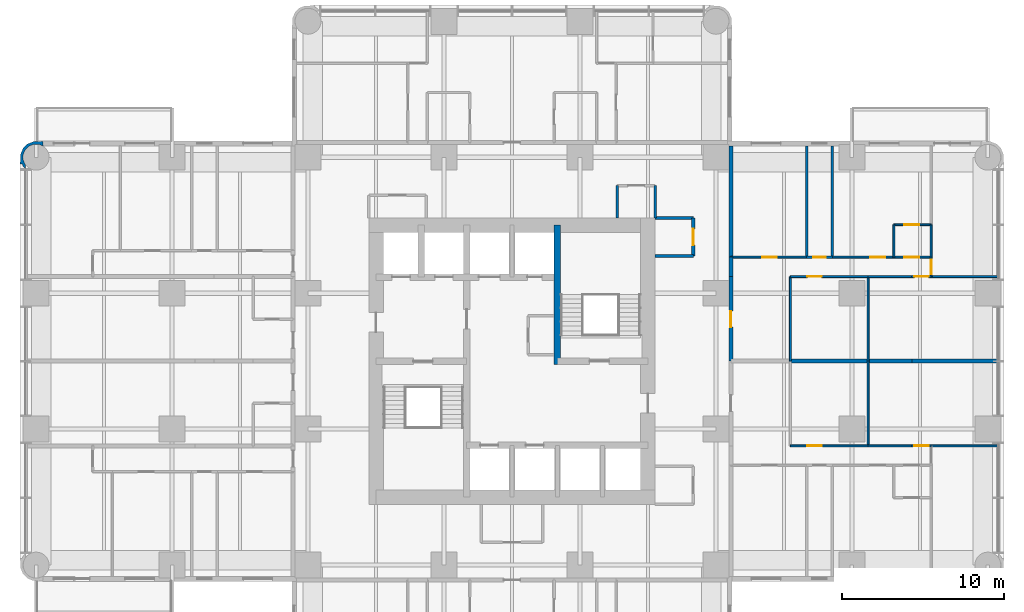
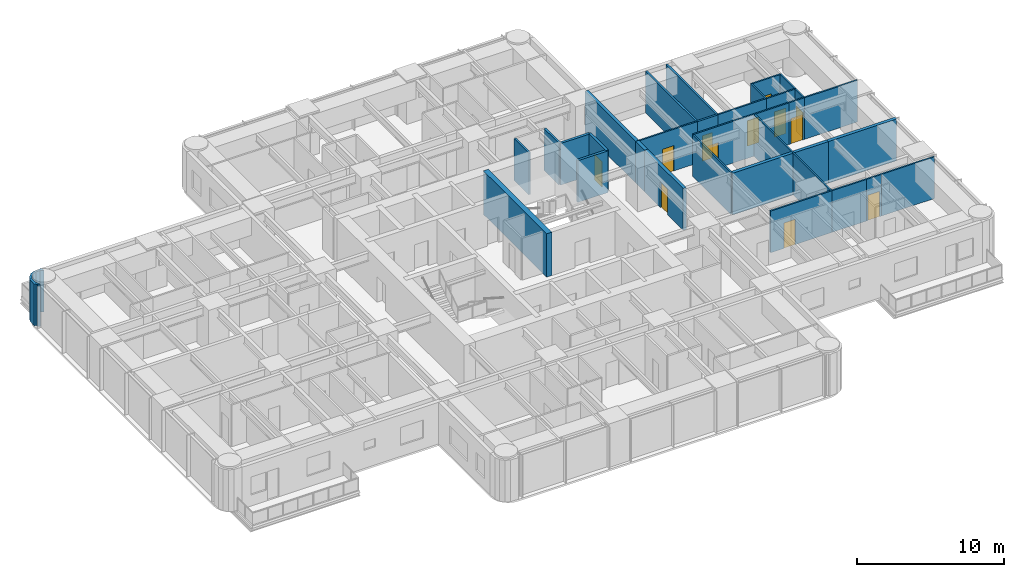
# One storey, part 10 of 14: 34 walls, 12 doors, 12 openings.
"""IFC4 building model written with IfcOpenShell, lengths in metres."""

from ifc_helpers import new_model, si_unit, direction, frame, frame_2d, origin, place, context, subcontext, project, spatial, polyline, rectangle, outline, extrude, material, layer, layer_set, type_object, element, fill, save


model = new_model("IFC4")

# Units and contexts
model_context = context("Model", 3, precision=1e-05, world=origin(), true_north=direction((0.0, 1.0)))
body_context = subcontext(model_context, "Body", "Model", "MODEL_VIEW")
ifc_project = project(units=[si_unit("LENGTHUNIT", "METRE"), si_unit("AREAUNIT", "SQUARE_METRE"), si_unit("VOLUMEUNIT", "CUBIC_METRE"), si_unit("PLANEANGLEUNIT", "RADIAN"), si_unit("MASSUNIT", "GRAM", prefix="KILO")], contexts=[model_context])

# Site, building, storey
site_placement = place(None, origin())
site = spatial("IfcSite", under=ifc_project, at=site_placement, CompositionType="ELEMENT")
building_placement = place(site_placement, origin())
building = spatial("IfcBuilding", under=site, at=building_placement, Name="Torre Alcanfor", CompositionType="ELEMENT")
storey_placement = place(building_placement, frame((0.0, 0.0, 141.300048828125)))
storey = spatial("IfcBuildingStorey", under=building, at=storey_placement, Name="L36", CompositionType="ELEMENT", Elevation=141.300048828125)

# Wall, opening, door
ifc_material_1 = material(Name="Concrete block masonry, hollow blocks NMX-C-404 9 MPa", Category="masonry")
ifc_layer_1 = layer(ifc_material_1, 0.25)
ifc_layer_set_1 = layer_set([ifc_layer_1], Name="Apartment entrance wall 250 EI 60")
wall_type_1 = type_object("IfcWallType", Name="Apartment entrance wall 250 EI 60", PredefinedType="PARTITIONING", material=ifc_layer_set_1)
wall_1_placement = place(storey_placement, frame((42.925048828125, 34.62890625, 0.0), z_axis=(0.0, 0.0, 1.0), x_axis=(0.0, -1.0, 0.0)))
wall_1 = element("IfcWall", 1, at=wall_1_placement, inside=storey, type_object=wall_type_1, Name="Partition L36-CORR / L36-E1-ZAG", PredefinedType="PARTITIONING", context=body_context, shape_type="SweptSolid", body=[
    extrude(rectangle(XDim=5.22900390625, YDim=0.25, at=frame_2d((2.614501953125, 0.0))), origin(), (0.0, 0.0, 1.0), 3.449951171875),
])
opening_1_placement = place(wall_1_placement, frame((2.12890625, 0.0, 0.0)))
opening_1 = element("IfcOpeningElement", 2, at=opening_1_placement, cuts=wall_1, Name="Opening D-A1", PredefinedType="OPENING", context=body_context, shape_type="SweptSolid", body=[
    extrude(rectangle(XDim=1.0, YDim=2.10009765625, at=frame_2d((0.5, 1.050048828125))), frame((0.0, 0.135009765625, 0.0), z_axis=(0.0, -1.0, 0.0), x_axis=(1.0, 0.0, 0.0)), (0.0, 0.0, 1.0), 0.27001953125),
])
ifc_material_2 = material(Name="Galvanised steel sheet ASTM A653", Category="steel")
door_type_1 = type_object("IfcDoorType", Name="Apartment entrance door FD60 1000x2100", OperationType="SINGLE_SWING_LEFT", PredefinedType="DOOR", material=ifc_material_2)
door_1_placement = place(opening_1_placement, origin())
door_1 = element("IfcDoor", 3, at=door_1_placement, inside=storey, type_object=door_type_1, Name="Apartment entrance L36-E1", OperationType="SINGLE_SWING_RIGHT", OverallHeight=2.10009765625, OverallWidth=1.0, PredefinedType="DOOR", context=body_context, shape_type="SweptSolid", body=[
    extrude(rectangle(XDim=1.0, YDim=2.10009765625, at=frame_2d((0.5, 1.050048828125))), frame((0.0, 0.02490234375, 0.0), z_axis=(0.0, -1.0, 0.0), x_axis=(1.0, 0.0, 0.0)), (0.0, 0.0, 1.0), 0.050048828125),
])
fill(opening_1, door_1)

# Walls
wall_2_placement = place(storey_placement, frame((42.925048828125, 35.8291015625, 0.0), z_axis=(0.0, 0.0, 1.0), x_axis=(0.0, -1.0, 0.0)))
element("IfcWall", 4, at=wall_2_placement, inside=storey, type_object=wall_type_1, Name="Partition L36-CORR / L36-E1-HALL", PredefinedType="PARTITIONING", context=body_context, shape_type="SweptSolid", body=[
    extrude(rectangle(XDim=1.2001953125, YDim=0.25, at=frame_2d((0.60009765625, 0.0))), origin(), (0.0, 0.0, 1.0), 3.449951171875),
])
wall_3_placement = place(storey_placement, frame((42.925048828125, 42.699951171875, 0.0), z_axis=(0.0, 0.0, 1.0), x_axis=(0.0, -1.0, 0.0)))
element("IfcWall", 5, at=wall_3_placement, inside=storey, type_object=wall_type_1, Name="Partition L36-CORR / L36-E1-BED2", PredefinedType="PARTITIONING", context=body_context, shape_type="SweptSolid", body=[
    extrude(rectangle(XDim=6.870849609375, YDim=0.25, at=frame_2d((3.435546875, 0.0))), origin(), (0.0, 0.0, 1.0), 3.449951171875),
])
ifc_material_3 = material(Name="Gypsum board on steel studs", Category="steel")
ifc_layer_2 = layer(ifc_material_3, 0.1201171875)
ifc_layer_set_2 = layer_set([ifc_layer_2], Name="Apartment partition 120")
wall_type_2 = type_object("IfcWallType", Name="Apartment partition 120", PredefinedType="PARTITIONING", material=ifc_layer_set_2)
for number, where, z_axis, x_axis, name in (
    (6, (46.60009765625, 29.39990234375, 0.0), (0.0, 0.0, 1.0), (0.0, 1.0, 0.0), "Partition L36-E1-ZAG / L36-E1-FAMILY"),
    (7, (51.39990234375, 29.39990234375, 0.0), (0.0, 0.0, 1.0), (0.0, 1.0, 0.0), "Partition L36-E1-FAMILY / L36-E1-KITCHEN"),
):
    element("IfcWall", number, at=place(storey_placement, frame(where, z_axis=z_axis, x_axis=x_axis)), inside=storey, type_object=wall_type_2, Name=name, PredefinedType="PARTITIONING", context=body_context, shape_type="SweptSolid", body=[
        extrude(rectangle(XDim=5.22900390625, YDim=0.1201171875, at=frame_2d((2.614501953125, 0.0))), origin(), (0.0, 0.0, 1.0), 3.449951171875),
    ])

# Wall, opening, door
wall_4_placement = place(storey_placement, frame((51.39990234375, 34.62890625, 0.0), z_axis=(0.0, 0.0, 1.0), x_axis=(-1.0, 0.0, 0.0)))
wall_4 = element("IfcWall", 8, at=wall_4_placement, inside=storey, type_object=wall_type_2, Name="Partition L36-E1-FAMILY / L36-E1-HALL", PredefinedType="PARTITIONING", context=body_context, shape_type="SweptSolid", body=[
    extrude(rectangle(XDim=4.7998046875, YDim=0.1201171875, at=frame_2d((2.39990234375, 0.0))), origin(), (0.0, 0.0, 1.0), 3.449951171875),
])
opening_2_placement = place(wall_4_placement, frame((2.85009765625, 0.0, 0.0)))
opening_2 = element("IfcOpeningElement", 9, at=opening_2_placement, cuts=wall_4, Name="Opening D-R1", PredefinedType="OPENING", context=body_context, shape_type="SweptSolid", body=[
    extrude(rectangle(XDim=0.89990234375, YDim=2.10009765625, at=frame_2d((0.449951171875, 1.050048828125))), frame((0.0, 0.070068359375, 0.0), z_axis=(0.0, -1.0, 0.0), x_axis=(1.0, 0.0, 0.0)), (0.0, 0.0, 1.0), 0.14013671875),
])
ifc_material_4 = material(Name="Timber", Category="wood")
door_type_2 = type_object("IfcDoorType", Name="Internal door 900x2100", OperationType="SINGLE_SWING_LEFT", PredefinedType="DOOR", material=ifc_material_4)
door_2_placement = place(opening_2_placement, origin())
door_2 = element("IfcDoor", 10, at=door_2_placement, inside=storey, type_object=door_type_2, Name="Door L36-E1 family", OperationType="SINGLE_SWING_RIGHT", OverallHeight=2.10009765625, OverallWidth=0.89990234375, PredefinedType="DOOR", context=body_context, shape_type="SweptSolid", body=[
    extrude(rectangle(XDim=0.89990234375, YDim=2.10009765625, at=frame_2d((0.449951171875, 1.050048828125))), frame((0.0, 0.02490234375, 0.0), z_axis=(0.0, -1.0, 0.0), x_axis=(1.0, 0.0, 0.0)), (0.0, 0.0, 1.0), 0.050048828125),
])
fill(opening_2, door_2)

# Wall
wall_5_placement = place(storey_placement, frame((54.10009765625, 34.62890625, 0.0), z_axis=(0.0, 0.0, 1.0), x_axis=(-1.0, 0.0, 0.0)))
element("IfcWall", 11, at=wall_5_placement, inside=storey, type_object=wall_type_2, Name="Partition L36-E1-KITCHEN / L36-E1-HALL", PredefinedType="PARTITIONING", context=body_context, shape_type="SweptSolid", body=[
    extrude(rectangle(XDim=2.7001953125, YDim=0.1201171875, at=frame_2d((1.35009765625, 0.0))), origin(), (0.0, 0.0, 1.0), 3.449951171875),
])

# Wall, opening, door
wall_6_placement = place(storey_placement, frame((55.300048828125, 34.62890625, 0.0), z_axis=(0.0, 0.0, 1.0), x_axis=(-1.0, 0.0, 0.0)))
wall_6 = element("IfcWall", 12, at=wall_6_placement, inside=storey, type_object=wall_type_2, Name="Partition L36-E1-LIVING / L36-E1-HALL", PredefinedType="PARTITIONING", context=body_context, shape_type="SweptSolid", body=[
    extrude(rectangle(XDim=1.199951171875, YDim=0.1201171875, at=frame_2d((0.60009765625, 0.0))), origin(), (0.0, 0.0, 1.0), 3.449951171875),
])
opening_3_placement = place(wall_6_placement, frame((0.14990234375, 0.0, 0.0)))
opening_3 = element("IfcOpeningElement", 13, at=opening_3_placement, cuts=wall_6, Name="Opening D-R1", PredefinedType="OPENING", context=body_context, shape_type="SweptSolid", body=[
    extrude(rectangle(XDim=0.89990234375, YDim=2.10009765625, at=frame_2d((0.449951171875, 1.050048828125))), frame((0.0, 0.070068359375, 0.0), z_axis=(0.0, -1.0, 0.0), x_axis=(1.0, 0.0, 0.0)), (0.0, 0.0, 1.0), 0.14013671875),
])
door_3_placement = place(opening_3_placement, origin())
door_3 = element("IfcDoor", 14, at=door_3_placement, inside=storey, type_object=door_type_2, Name="Door L36-E1 living", OperationType="SINGLE_SWING_RIGHT", OverallHeight=2.10009765625, OverallWidth=0.89990234375, PredefinedType="DOOR", context=body_context, shape_type="SweptSolid", body=[
    extrude(rectangle(XDim=0.89990234375, YDim=2.10009765625, at=frame_2d((0.449951171875, 1.050048828125))), frame((0.0, 0.02490234375, 0.0), z_axis=(0.0, -1.0, 0.0), x_axis=(1.0, 0.0, 0.0)), (0.0, 0.0, 1.0), 0.050048828125),
])
fill(opening_3, door_3)

# Wall
wall_7_placement = place(storey_placement, frame((59.449951171875, 34.62890625, 0.0), z_axis=(0.0, 0.0, 1.0), x_axis=(-1.0, 0.0, 0.0)))
element("IfcWall", 15, at=wall_7_placement, inside=storey, type_object=wall_type_2, Name="Partition L36-E1-LIVING / L36-E1-WGARD", PredefinedType="PARTITIONING", context=body_context, shape_type="SweptSolid", body=[
    extrude(rectangle(XDim=4.14990234375, YDim=0.1201171875, at=frame_2d((2.074951171875, 0.0))), origin(), (0.0, 0.0, 1.0), 3.449951171875),
])

# Wall, opening, door
wall_8_placement = place(storey_placement, frame((47.60009765625, 35.8291015625, 0.0), z_axis=(0.0, 0.0, 1.0), x_axis=(-1.0, 0.0, 0.0)))
wall_8 = element("IfcWall", 16, at=wall_8_placement, inside=storey, type_object=wall_type_2, Name="Partition L36-E1-HALL / L36-E1-BED2", PredefinedType="PARTITIONING", context=body_context, shape_type="SweptSolid", body=[
    extrude(rectangle(XDim=4.675048828125, YDim=0.1201171875, at=frame_2d((2.33740234375, 0.0))), origin(), (0.0, 0.0, 1.0), 3.449951171875),
])
opening_4_placement = place(wall_8_placement, frame((1.85009765625, 0.0, 0.0)))
opening_4 = element("IfcOpeningElement", 17, at=opening_4_placement, cuts=wall_8, Name="Opening D-R1", PredefinedType="OPENING", context=body_context, shape_type="SweptSolid", body=[
    extrude(rectangle(XDim=0.89990234375, YDim=2.10009765625, at=frame_2d((0.449951171875, 1.050048828125))), frame((0.0, 0.070068359375, 0.0), z_axis=(0.0, -1.0, 0.0), x_axis=(1.0, 0.0, 0.0)), (0.0, 0.0, 1.0), 0.14013671875),
])
door_4_placement = place(opening_4_placement, frame((0.89990234375, 0.0, 0.0), z_axis=(0.0, 0.0, 1.0), x_axis=(-1.0, 0.0, 0.0)))
door_4 = element("IfcDoor", 18, at=door_4_placement, inside=storey, type_object=door_type_2, Name="Door L36-E1 bed2", OperationType="SINGLE_SWING_RIGHT", OverallHeight=2.10009765625, OverallWidth=0.89990234375, PredefinedType="DOOR", context=body_context, shape_type="SweptSolid", body=[
    extrude(rectangle(XDim=0.89990234375, YDim=2.10009765625, at=frame_2d((0.449951171875, 1.050048828125))), frame((0.0, 0.025146484375, 0.0), z_axis=(0.0, -1.0, 0.0), x_axis=(1.0, 0.0, 0.0)), (0.0, 0.0, 1.0), 0.050048828125),
])
fill(opening_4, door_4)

wall_9_placement = place(storey_placement, frame((53.0, 35.8291015625, 0.0), z_axis=(0.0, 0.0, 1.0), x_axis=(-1.0, 0.0, 0.0)))
wall_9 = element("IfcWall", 19, at=wall_9_placement, inside=storey, type_object=wall_type_2, Name="Partition L36-E1-HALL / L36-E1-MASTER", PredefinedType="PARTITIONING", context=body_context, shape_type="SweptSolid", body=[
    extrude(rectangle(XDim=3.800048828125, YDim=0.1201171875, at=frame_2d((1.89990234375, 0.0))), origin(), (0.0, 0.0, 1.0), 3.449951171875),
])
opening_5_placement = place(wall_9_placement, frame((0.550048828125, 0.0, 0.0)))
opening_5 = element("IfcOpeningElement", 20, at=opening_5_placement, cuts=wall_9, Name="Opening D-R1", PredefinedType="OPENING", context=body_context, shape_type="SweptSolid", body=[
    extrude(rectangle(XDim=0.89990234375, YDim=2.10009765625, at=frame_2d((0.449951171875, 1.050048828125))), frame((0.0, 0.070068359375, 0.0), z_axis=(0.0, -1.0, 0.0), x_axis=(1.0, 0.0, 0.0)), (0.0, 0.0, 1.0), 0.14013671875),
])
door_5_placement = place(opening_5_placement, frame((0.89990234375, 0.0, 0.0), z_axis=(0.0, 0.0, 1.0), x_axis=(-1.0, 0.0, 0.0)))
door_5 = element("IfcDoor", 21, at=door_5_placement, inside=storey, type_object=door_type_2, Name="Door L36-E1 master", OperationType="SINGLE_SWING_RIGHT", OverallHeight=2.10009765625, OverallWidth=0.89990234375, PredefinedType="DOOR", context=body_context, shape_type="SweptSolid", body=[
    extrude(rectangle(XDim=0.89990234375, YDim=2.10009765625, at=frame_2d((0.449951171875, 1.050048828125))), frame((0.0, 0.025146484375, 0.0), z_axis=(0.0, -1.0, 0.0), x_axis=(1.0, 0.0, 0.0)), (0.0, 0.0, 1.0), 0.050048828125),
])
fill(opening_5, door_5)

wall_10_placement = place(storey_placement, frame((55.300048828125, 35.8291015625, 0.0), z_axis=(0.0, 0.0, 1.0), x_axis=(-1.0, 0.0, 0.0)))
wall_10 = element("IfcWall", 22, at=wall_10_placement, inside=storey, type_object=wall_type_2, Name="Partition L36-E1-HALL / L36-E1-VEST", PredefinedType="PARTITIONING", context=body_context, shape_type="SweptSolid", body=[
    extrude(rectangle(XDim=2.300048828125, YDim=0.1201171875, at=frame_2d((1.14990234375, 0.0))), origin(), (0.0, 0.0, 1.0), 3.449951171875),
])
opening_6_placement = place(wall_10_placement, frame((0.75, 0.0, 0.0)))
opening_6 = element("IfcOpeningElement", 23, at=opening_6_placement, cuts=wall_10, Name="Opening D-R1", PredefinedType="OPENING", context=body_context, shape_type="SweptSolid", body=[
    extrude(rectangle(XDim=0.89990234375, YDim=2.10009765625, at=frame_2d((0.449951171875, 1.050048828125))), frame((0.0, 0.070068359375, 0.0), z_axis=(0.0, -1.0, 0.0), x_axis=(1.0, 0.0, 0.0)), (0.0, 0.0, 1.0), 0.14013671875),
])
door_6_placement = place(opening_6_placement, frame((0.89990234375, 0.0, 0.0), z_axis=(0.0, 0.0, 1.0), x_axis=(-1.0, 0.0, 0.0)))
door_6 = element("IfcDoor", 24, at=door_6_placement, inside=storey, type_object=door_type_2, Name="Door L36-E1 vest", OperationType="SINGLE_SWING_LEFT", OverallHeight=2.10009765625, OverallWidth=0.89990234375, PredefinedType="DOOR", context=body_context, shape_type="SweptSolid", body=[
    extrude(rectangle(XDim=0.89990234375, YDim=2.10009765625, at=frame_2d((0.449951171875, 1.050048828125))), frame((0.0, 0.025146484375, 0.0), z_axis=(0.0, -1.0, 0.0), x_axis=(1.0, 0.0, 0.0)), (0.0, 0.0, 1.0), 0.050048828125),
])
fill(opening_6, door_6)

wall_11_placement = place(storey_placement, frame((55.300048828125, 34.62890625, 0.0), z_axis=(0.0, 0.0, 1.0), x_axis=(0.0, 1.0, 0.0)))
wall_11 = element("IfcWall", 25, at=wall_11_placement, inside=storey, type_object=wall_type_2, Name="Partition L36-E1-HALL / L36-E1-WGARD", PredefinedType="PARTITIONING", context=body_context, shape_type="SweptSolid", body=[
    extrude(rectangle(XDim=1.2001953125, YDim=0.1201171875, at=frame_2d((0.60009765625, 0.0))), origin(), (0.0, 0.0, 1.0), 3.449951171875),
])
opening_7_placement = place(wall_11_placement, frame((0.15087890625, 0.0, 0.0)))
opening_7 = element("IfcOpeningElement", 26, at=opening_7_placement, cuts=wall_11, Name="Opening D-R1", PredefinedType="OPENING", context=body_context, shape_type="SweptSolid", body=[
    extrude(rectangle(XDim=0.89990234375, YDim=2.10009765625, at=frame_2d((0.449951171875, 1.050048828125))), frame((0.0, 0.070068359375, 0.0), z_axis=(0.0, -1.0, 0.0), x_axis=(1.0, 0.0, 0.0)), (0.0, 0.0, 1.0), 0.14013671875),
])
door_7_placement = place(opening_7_placement, frame((0.89990234375, 0.0, 0.0), z_axis=(0.0, 0.0, 1.0), x_axis=(-1.0, 0.0, 0.0)))
door_7 = element("IfcDoor", 27, at=door_7_placement, inside=storey, type_object=door_type_2, Name="Door L36-E1 wgard", OperationType="SINGLE_SWING_RIGHT", OverallHeight=2.10009765625, OverallWidth=0.89990234375, PredefinedType="DOOR", context=body_context, shape_type="SweptSolid", body=[
    extrude(rectangle(XDim=0.89990234375, YDim=2.10009765625, at=frame_2d((0.449951171875, 1.050048828125))), frame((0.0, 0.025146484375, 0.0), z_axis=(0.0, -1.0, 0.0), x_axis=(1.0, 0.0, 0.0)), (0.0, 0.0, 1.0), 0.050048828125),
])
fill(opening_7, door_7)

wall_12_placement = place(storey_placement, frame((55.300048828125, 37.8291015625, 0.0), z_axis=(0.0, 0.0, 1.0), x_axis=(-1.0, 0.0, 0.0)))
wall_12 = element("IfcWall", 28, at=wall_12_placement, inside=storey, type_object=wall_type_2, Name="Partition L36-E1-MASTER / L36-E1-VEST", PredefinedType="PARTITIONING", context=body_context, shape_type="SweptSolid", body=[
    extrude(rectangle(XDim=2.300048828125, YDim=0.1201171875, at=frame_2d((1.14990234375, 0.0))), origin(), (0.0, 0.0, 1.0), 3.449951171875),
])
opening_8_placement = place(wall_12_placement, frame((0.75, 0.0, 0.0)))
opening_8 = element("IfcOpeningElement", 29, at=opening_8_placement, cuts=wall_12, Name="Opening D-R1", PredefinedType="OPENING", context=body_context, shape_type="SweptSolid", body=[
    extrude(rectangle(XDim=0.89990234375, YDim=2.10009765625, at=frame_2d((0.449951171875, 1.050048828125))), frame((0.0, 0.070068359375, 0.0), z_axis=(0.0, -1.0, 0.0), x_axis=(1.0, 0.0, 0.0)), (0.0, 0.0, 1.0), 0.14013671875),
])
door_8_placement = place(opening_8_placement, origin())
door_8 = element("IfcDoor", 30, at=door_8_placement, inside=storey, type_object=door_type_2, Name="Door L36-E1 master", OperationType="SINGLE_SWING_RIGHT", OverallHeight=2.10009765625, OverallWidth=0.89990234375, PredefinedType="DOOR", context=body_context, shape_type="SweptSolid", body=[
    extrude(rectangle(XDim=0.89990234375, YDim=2.10009765625, at=frame_2d((0.449951171875, 1.050048828125))), frame((0.0, 0.02490234375, 0.0), z_axis=(0.0, -1.0, 0.0), x_axis=(1.0, 0.0, 0.0)), (0.0, 0.0, 1.0), 0.050048828125),
])
fill(opening_8, door_8)

# Walls
for number, where, z_axis, x_axis, name in (
    (31, (53.0, 37.8291015625, 0.0), (0.0, 0.0, 1.0), (0.0, -1.0, 0.0), "Partition L36-E1-MASTER / L36-E1-VEST"),
    (32, (55.300048828125, 35.8291015625, 0.0), (0.0, 0.0, 1.0), (0.0, 1.0, 0.0), "Partition L36-E1-VEST / L36-E1-WGARD"),
):
    element("IfcWall", number, at=place(storey_placement, frame(where, z_axis=z_axis, x_axis=x_axis)), inside=storey, type_object=wall_type_2, Name=name, PredefinedType="PARTITIONING", context=body_context, shape_type="SweptSolid", body=[
        extrude(rectangle(XDim=2.0, YDim=0.1201171875, at=frame_2d((1.0, 0.0))), origin(), (0.0, 0.0, 1.0), 3.449951171875),
    ])
wall_13_placement = place(storey_placement, frame((51.39990234375, 29.39990234375, 0.0), z_axis=(0.0, 0.0, 1.0), x_axis=(0.0, -1.0, 0.0)))
element("IfcWall", 33, at=wall_13_placement, inside=storey, type_object=wall_type_2, Name="Partition L36-E2-FAMILY / L36-E2-KITCHEN", PredefinedType="PARTITIONING", context=body_context, shape_type="SweptSolid", body=[
    extrude(rectangle(XDim=5.22900390625, YDim=0.1201171875, at=frame_2d((2.614501953125, 0.0))), origin(), (0.0, 0.0, 1.0), 3.449951171875),
])

# Wall, opening, door
wall_14_placement = place(storey_placement, frame((51.39990234375, 24.1708984375, 0.0), z_axis=(0.0, 0.0, 1.0), x_axis=(-1.0, 0.0, 0.0)))
wall_14 = element("IfcWall", 34, at=wall_14_placement, inside=storey, type_object=wall_type_2, Name="Partition L36-E2-FAMILY / L36-E2-HALL", PredefinedType="PARTITIONING", context=body_context, shape_type="SweptSolid", body=[
    extrude(rectangle(XDim=4.7998046875, YDim=0.1201171875, at=frame_2d((2.39990234375, 0.0))), origin(), (0.0, 0.0, 1.0), 3.449951171875),
])
opening_9_placement = place(wall_14_placement, frame((2.85009765625, 0.0, 0.0)))
opening_9 = element("IfcOpeningElement", 35, at=opening_9_placement, cuts=wall_14, Name="Opening D-R1", PredefinedType="OPENING", context=body_context, shape_type="SweptSolid", body=[
    extrude(rectangle(XDim=0.89990234375, YDim=2.10009765625, at=frame_2d((0.449951171875, 1.050048828125))), frame((0.0, 0.070068359375, 0.0), z_axis=(0.0, -1.0, 0.0), x_axis=(1.0, 0.0, 0.0)), (0.0, 0.0, 1.0), 0.14013671875),
])
door_9_placement = place(opening_9_placement, frame((0.89990234375, 0.0, 0.0), z_axis=(0.0, 0.0, 1.0), x_axis=(-1.0, 0.0, 0.0)))
door_9 = element("IfcDoor", 36, at=door_9_placement, inside=storey, type_object=door_type_2, Name="Door L36-E2 family", OperationType="SINGLE_SWING_LEFT", OverallHeight=2.10009765625, OverallWidth=0.89990234375, PredefinedType="DOOR", context=body_context, shape_type="SweptSolid", body=[
    extrude(rectangle(XDim=0.89990234375, YDim=2.10009765625, at=frame_2d((0.449951171875, 1.050048828125))), frame((0.0, 0.025146484375, 0.0), z_axis=(0.0, -1.0, 0.0), x_axis=(1.0, 0.0, 0.0)), (0.0, 0.0, 1.0), 0.050048828125),
])
fill(opening_9, door_9)

# Wall
wall_15_placement = place(storey_placement, frame((54.10009765625, 24.1708984375, 0.0), z_axis=(0.0, 0.0, 1.0), x_axis=(-1.0, 0.0, 0.0)))
element("IfcWall", 37, at=wall_15_placement, inside=storey, type_object=wall_type_2, Name="Partition L36-E2-KITCHEN / L36-E2-HALL", PredefinedType="PARTITIONING", context=body_context, shape_type="SweptSolid", body=[
    extrude(rectangle(XDim=2.7001953125, YDim=0.1201171875, at=frame_2d((1.35009765625, 0.0))), origin(), (0.0, 0.0, 1.0), 3.449951171875),
])

# Wall, opening, door
wall_16_placement = place(storey_placement, frame((55.300048828125, 24.1708984375, 0.0), z_axis=(0.0, 0.0, 1.0), x_axis=(-1.0, 0.0, 0.0)))
wall_16 = element("IfcWall", 38, at=wall_16_placement, inside=storey, type_object=wall_type_2, Name="Partition L36-E2-LIVING / L36-E2-HALL", PredefinedType="PARTITIONING", context=body_context, shape_type="SweptSolid", body=[
    extrude(rectangle(XDim=1.199951171875, YDim=0.1201171875, at=frame_2d((0.60009765625, 0.0))), origin(), (0.0, 0.0, 1.0), 3.449951171875),
])
opening_10_placement = place(wall_16_placement, frame((0.14990234375, 0.0, 0.0)))
opening_10 = element("IfcOpeningElement", 39, at=opening_10_placement, cuts=wall_16, Name="Opening D-R1", PredefinedType="OPENING", context=body_context, shape_type="SweptSolid", body=[
    extrude(rectangle(XDim=0.89990234375, YDim=2.10009765625, at=frame_2d((0.449951171875, 1.050048828125))), frame((0.0, 0.070068359375, 0.0), z_axis=(0.0, -1.0, 0.0), x_axis=(1.0, 0.0, 0.0)), (0.0, 0.0, 1.0), 0.14013671875),
])
door_10_placement = place(opening_10_placement, frame((0.89990234375, 0.0, 0.0), z_axis=(0.0, 0.0, 1.0), x_axis=(-1.0, 0.0, 0.0)))
door_10 = element("IfcDoor", 40, at=door_10_placement, inside=storey, type_object=door_type_2, Name="Door L36-E2 living", OperationType="SINGLE_SWING_LEFT", OverallHeight=2.10009765625, OverallWidth=0.89990234375, PredefinedType="DOOR", context=body_context, shape_type="SweptSolid", body=[
    extrude(rectangle(XDim=0.89990234375, YDim=2.10009765625, at=frame_2d((0.449951171875, 1.050048828125))), frame((0.0, 0.025146484375, 0.0), z_axis=(0.0, -1.0, 0.0), x_axis=(1.0, 0.0, 0.0)), (0.0, 0.0, 1.0), 0.050048828125),
])
fill(opening_10, door_10)

# Walls
wall_17_placement = place(storey_placement, frame((59.449951171875, 24.1708984375, 0.0), z_axis=(0.0, 0.0, 1.0), x_axis=(-1.0, 0.0, 0.0)))
element("IfcWall", 41, at=wall_17_placement, inside=storey, type_object=wall_type_2, Name="Partition L36-E2-LIVING / L36-E2-WGARD", PredefinedType="PARTITIONING", context=body_context, shape_type="SweptSolid", body=[
    extrude(rectangle(XDim=4.14990234375, YDim=0.1201171875, at=frame_2d((2.074951171875, 0.0))), origin(), (0.0, 0.0, 1.0), 3.449951171875),
])
ifc_material_5 = material(Name="Concrete f'c 70 MPa", Category="concrete")
ifc_layer_3 = layer(ifc_material_5, 0.39990234375)
ifc_layer_set_3 = layer_set([ifc_layer_3], Name="Core inner wall 400 f'c70")
wall_type_3 = type_object("IfcWallType", Name="Core inner wall 400 f'c70", PredefinedType="SHEAR", material=ifc_layer_set_3)
wall_18_placement = place(storey_placement, frame((32.199951171875, 29.199951171875, 0.0), z_axis=(0.0, 0.0, 1.0), x_axis=(0.0, 1.0, 0.0)))
element("IfcWall", 42, at=wall_18_placement, inside=storey, type_object=wall_type_3, Name="Core wall X322N L36", PredefinedType="SHEAR", context=body_context, shape_type="SweptSolid", body=[
    extrude(rectangle(XDim=8.60009765625, YDim=0.39990234375, at=frame_2d((4.300048828125, 0.0))), origin(), (0.0, 0.0, 1.0), 3.599853515625),
])
ifc_material_6 = material(Name="Concrete block masonry, hollow blocks NMX-C-404 9 MPa", Category="masonry")
ifc_layer_4 = layer(ifc_material_6, 0.25)
ifc_layer_set_4 = layer_set([ifc_layer_4], Name="Party wall 250 EI 60")
wall_type_4 = type_object("IfcWallType", Name="Party wall 250 EI 60", PredefinedType="PARTITIONING", material=ifc_layer_set_4)
wall_19_placement = place(storey_placement, frame((46.60009765625, 29.39990234375, 0.0), z_axis=(0.0, 0.0, 1.0), x_axis=(1.0, 0.0, 0.0)))
element("IfcWall", 43, at=wall_19_placement, inside=storey, type_object=wall_type_4, Name="Partition L36-E1-FAMILY / L36-E2-FAMILY", PredefinedType="PARTITIONING", context=body_context, shape_type="SweptSolid", body=[
    extrude(rectangle(XDim=4.7998046875, YDim=0.25, at=frame_2d((2.39990234375, 0.0))), origin(), (0.0, 0.0, 1.0), 3.449951171875),
])
wall_20_placement = place(storey_placement, frame((51.39990234375, 29.39990234375, 0.0), z_axis=(0.0, 0.0, 1.0), x_axis=(1.0, 0.0, 0.0)))
element("IfcWall", 44, at=wall_20_placement, inside=storey, type_object=wall_type_4, Name="Partition L36-E1-KITCHEN / L36-E2-KITCHEN", PredefinedType="PARTITIONING", context=body_context, shape_type="SweptSolid", body=[
    extrude(rectangle(XDim=2.7001953125, YDim=0.25, at=frame_2d((1.35009765625, 0.0))), origin(), (0.0, 0.0, 1.0), 3.449951171875),
])
wall_21_placement = place(storey_placement, frame((54.10009765625, 29.39990234375, 0.0), z_axis=(0.0, 0.0, 1.0), x_axis=(1.0, 0.0, 0.0)))
element("IfcWall", 45, at=wall_21_placement, inside=storey, type_object=wall_type_4, Name="Partition L36-E1-LIVING / L36-E2-LIVING", PredefinedType="PARTITIONING", context=body_context, shape_type="SweptSolid", body=[
    extrude(rectangle(XDim=5.349853515625, YDim=0.25, at=frame_2d((2.6748046875, 0.0))), origin(), (0.0, 0.0, 1.0), 3.449951171875),
])
ifc_material_7 = material(Name="Concrete block masonry, hollow blocks NMX-C-404 9 MPa", Category="masonry")
ifc_layer_5 = layer(ifc_material_7, 0.199951171875)
ifc_layer_set_5 = layer_set([ifc_layer_5], Name="Plant room wall 200 EI 60")
wall_type_5 = type_object("IfcWallType", Name="Plant room wall 200 EI 60", PredefinedType="PARTITIONING", material=ifc_layer_set_5)
wall_22_placement = place(storey_placement, frame((38.25, 35.89990234375, 0.0), z_axis=(0.0, 0.0, 1.0), x_axis=(1.0, 0.0, 0.0)))
element("IfcWall", 46, at=wall_22_placement, inside=storey, type_object=wall_type_5, Name="Partition L36-CORR / L36-G04", PredefinedType="PARTITIONING", context=body_context, shape_type="SweptSolid", body=[
    extrude(rectangle(XDim=2.35009765625, YDim=0.199951171875, at=frame_2d((1.175048828125, 0.0))), origin(), (0.0, 0.0, 1.0), 3.449951171875),
])

# Wall, opening, door
wall_23_placement = place(storey_placement, frame((40.60009765625, 35.89990234375, 0.0), z_axis=(0.0, 0.0, 1.0), x_axis=(0.0, 1.0, 0.0)))
wall_23 = element("IfcWall", 47, at=wall_23_placement, inside=storey, type_object=wall_type_5, Name="Partition L36-CORR / L36-G04", PredefinedType="PARTITIONING", context=body_context, shape_type="SweptSolid", body=[
    extrude(rectangle(XDim=2.35009765625, YDim=0.199951171875, at=frame_2d((1.175048828125, 0.0))), origin(), (0.0, 0.0, 1.0), 3.449951171875),
])
opening_11_placement = place(wall_23_placement, frame((0.675048828125, 0.0, 0.0)))
opening_11 = element("IfcOpeningElement", 48, at=opening_11_placement, cuts=wall_23, Name="Opening D-K1", PredefinedType="OPENING", context=body_context, shape_type="SweptSolid", body=[
    extrude(rectangle(XDim=1.0, YDim=2.10009765625, at=frame_2d((0.5, 1.050048828125))), frame((0.0, 0.10986328125, 0.0), z_axis=(0.0, -1.0, 0.0), x_axis=(1.0, 0.0, 0.0)), (0.0, 0.0, 1.0), 0.219970703125),
])
ifc_material_8 = material(Name="Galvanised steel sheet ASTM A653", Category="steel")
door_type_3 = type_object("IfcDoorType", Name="Core room door FD60 1000x2100", OperationType="SINGLE_SWING_LEFT", PredefinedType="DOOR", material=ifc_material_8)
door_11_placement = place(opening_11_placement, origin())
door_11 = element("IfcDoor", 49, at=door_11_placement, inside=storey, type_object=door_type_3, Name="Door L36-G04 refuse and recycling store", OperationType="SINGLE_SWING_LEFT", OverallHeight=2.10009765625, OverallWidth=1.0, PredefinedType="DOOR", context=body_context, shape_type="SweptSolid", body=[
    extrude(rectangle(XDim=1.0, YDim=2.10009765625, at=frame_2d((0.5, 1.050048828125))), frame((0.0, 0.02490234375, 0.0), z_axis=(0.0, -1.0, 0.0), x_axis=(1.0, 0.0, 0.0)), (0.0, 0.0, 1.0), 0.050048828125),
])
fill(opening_11, door_11)

# Walls
wall_24_placement = place(storey_placement, frame((40.60009765625, 38.25, 0.0), z_axis=(0.0, 0.0, 1.0), x_axis=(-1.0, 0.0, 0.0)))
element("IfcWall", 50, at=wall_24_placement, inside=storey, type_object=wall_type_5, Name="Partition L36-CORR / L36-G04", PredefinedType="PARTITIONING", context=body_context, shape_type="SweptSolid", body=[
    extrude(rectangle(XDim=2.35009765625, YDim=0.199951171875, at=frame_2d((1.175048828125, 0.0))), origin(), (0.0, 0.0, 1.0), 3.449951171875),
])
ifc_material_9 = material(Name="Concrete block masonry, hollow blocks NMX-C-404 9 MPa", Category="masonry")
ifc_layer_6 = layer(ifc_material_9, 0.14990234375)
ifc_layer_set_6 = layer_set([ifc_layer_6], Name="Residents' room partition 150")
wall_type_6 = type_object("IfcWallType", Name="Residents' room partition 150", PredefinedType="PARTITIONING", material=ifc_layer_set_6)
for number, where, z_axis, x_axis, name in (
    (51, (38.25, 38.25, 0.0), (0.0, 0.0, 1.0), (0.0, 1.0, 0.0), "Partition L36-CORR / L36-G02"),
    (52, (35.89990234375, 40.25, 0.0), (0.0, 0.0, 1.0), (0.0, -1.0, 0.0), "Partition L36-CORR / L36-G02"),
):
    element("IfcWall", number, at=place(storey_placement, frame(where, z_axis=z_axis, x_axis=x_axis)), inside=storey, type_object=wall_type_6, Name=name, PredefinedType="PARTITIONING", context=body_context, shape_type="SweptSolid", body=[
        extrude(rectangle(XDim=2.0, YDim=0.14990234375, at=frame_2d((1.0, 0.0))), origin(), (0.0, 0.0, 1.0), 3.449951171875),
    ])
ifc_material_10 = material(Name="Limestone cladding", Category="masonry")
ifc_layer_7 = layer(ifc_material_10, 0.0400390625, Name="Facing")
ifc_material_11 = material(Name="Ventilated air cavity")
ifc_layer_8 = layer(ifc_material_11, 0.02001953125, ventilated=True, Name="Ventilated joint")
ifc_material_12 = material(Name="Mineral wool insulation", Category="insulation")
ifc_layer_9 = layer(ifc_material_12, 0.10009765625, Name="Insulation")
ifc_material_13 = material(Name="Concrete f'c 35 MPa", Category="concrete")
ifc_layer_10 = layer(ifc_material_13, 0.139892578125, Name="Backing")
ifc_layer_set_7 = layer_set([ifc_layer_7, ifc_layer_8, ifc_layer_9, ifc_layer_10], Name="Rounded corner pier stone-clad 300")
wall_type_7 = type_object("IfcWallType", Name="Rounded corner pier stone-clad 300", PredefinedType="SOLIDWALL", material=ifc_layer_set_7)
wall_25_placement = place(storey_placement, frame((0.326823795, 42.817059488, 0.0), z_axis=(0.0, 0.0, 1.0), x_axis=(-0.93923434088, 0.343276641956, 0.0)))
element("IfcWall", 53, at=wall_25_placement, inside=storey, type_object=wall_type_7, Name="Corner pier L36 13", PredefinedType="SOLIDWALL", context=body_context, shape_type="SweptSolid", body=[
    extrude(outline(polyline([(-0.005838677930572508, -0.19691017002240385), (0.2656725893480827, -0.05504723679548061), (0.5353355739365452, 0.04351070532859805), (0.8164808166219237, 0.3019667887790936), (0.9774010351300944, 0.6482698031873169), (0.9936526519661447, 1.0298167590229048), (0.8950947098420661, 1.2994797436113674), (0.8284439015683875, 1.5984799607341533), (0.6967504599124257, 1.5690632792769885), (0.6041212101125378, 1.6695954267902182), (0.39402236502400456, 1.7672242392847775), (0.4711255170258348, 1.5562634010012864), (0.5086990809760941, 1.538803702790635), (0.7241945805605172, 1.30408163961566), (0.8334799177457201, 1.0050675818747117), (0.8201287688443563, 0.6867053603325339), (0.6856890926223405, 0.3973889179155373), (0.4509670294473655, 0.1818934183311141), (0.15195297170641725, 0.07260808114591123), (-0.11630424425966698, 0.08399689688883538), (-0.12741215805145528, 0.07811756360614214), (-0.14598588403076265, 0.07132913391902448), (-0.005838677930572508, -0.19691017002240385)])), origin(), (0.0, 0.0, 1.0), 3.449951171875),
])

# Wall, opening, door
ifc_material_14 = material(Name="Cement board on steel studs", Category="steel")
ifc_layer_11 = layer(ifc_material_14, 0.14990234375)
ifc_layer_set_8 = layer_set([ifc_layer_11], Name="Wet area partition 150")
wall_type_8 = type_object("IfcWallType", Name="Wet area partition 150", PredefinedType="PARTITIONING", material=ifc_layer_set_8)
wall_26_placement = place(storey_placement, frame((49.199951171875, 35.8291015625, 0.0), z_axis=(0.0, 0.0, 1.0), x_axis=(-1.0, 0.0, 0.0)))
wall_26 = element("IfcWall", 54, at=wall_26_placement, inside=storey, type_object=wall_type_8, Name="Partition L36-E1-HALL / L36-E1-BATH1", PredefinedType="PARTITIONING", context=body_context, shape_type="SweptSolid", body=[
    extrude(rectangle(XDim=1.599853515625, YDim=0.14990234375, at=frame_2d((0.7998046875, 0.0))), origin(), (0.0, 0.0, 1.0), 3.449951171875),
])
opening_12_placement = place(wall_26_placement, frame((0.39990234375, 0.0, 0.0)))
opening_12 = element("IfcOpeningElement", 55, at=opening_12_placement, cuts=wall_26, Name="Opening D-R2", PredefinedType="OPENING", context=body_context, shape_type="SweptSolid", body=[
    extrude(rectangle(XDim=0.800048828125, YDim=2.10009765625, at=frame_2d((0.39990234375, 1.050048828125))), frame((0.0, 0.0849609375, 0.0), z_axis=(0.0, -1.0, 0.0), x_axis=(1.0, 0.0, 0.0)), (0.0, 0.0, 1.0), 0.169921875),
])
ifc_material_15 = material(Name="Timber", Category="wood")
door_type_4 = type_object("IfcDoorType", Name="Bathroom door 800x2100", OperationType="SINGLE_SWING_LEFT", PredefinedType="DOOR", material=ifc_material_15)
door_12_placement = place(opening_12_placement, frame((0.800048828125, 0.0, 0.0), z_axis=(0.0, 0.0, 1.0), x_axis=(-1.0, 0.0, 0.0)))
door_12 = element("IfcDoor", 56, at=door_12_placement, inside=storey, type_object=door_type_4, Name="Door L36-E1 bath1", OperationType="SINGLE_SWING_RIGHT", OverallHeight=2.10009765625, OverallWidth=0.800048828125, PredefinedType="DOOR", context=body_context, shape_type="SweptSolid", body=[
    extrude(rectangle(XDim=0.800048828125, YDim=2.10009765625, at=frame_2d((0.400146484375, 1.050048828125))), frame((0.0, 0.025146484375, 0.0), z_axis=(0.0, -1.0, 0.0), x_axis=(1.0, 0.0, 0.0)), (0.0, 0.0, 1.0), 0.050048828125),
])
fill(opening_12, door_12)

# Walls
for number, where, z_axis, x_axis, name in (
    (57, (47.60009765625, 35.8291015625, 0.0), (0.0, 0.0, 1.0), (0.0, 1.0, 0.0), "Partition L36-E1-BED2 / L36-E1-BATH1"),
    (58, (49.199951171875, 35.8291015625, 0.0), (0.0, 0.0, 1.0), (0.0, 1.0, 0.0), "Partition L36-E1-BATH1 / L36-E1-MASTER"),
):
    element("IfcWall", number, at=place(storey_placement, frame(where, z_axis=z_axis, x_axis=x_axis)), inside=storey, type_object=wall_type_8, Name=name, PredefinedType="PARTITIONING", context=body_context, shape_type="SweptSolid", body=[
        extrude(rectangle(XDim=6.870849609375, YDim=0.14990234375, at=frame_2d((3.435546875, 0.0))), origin(), (0.0, 0.0, 1.0), 3.449951171875),
    ])

save(model, "model.ifc")
